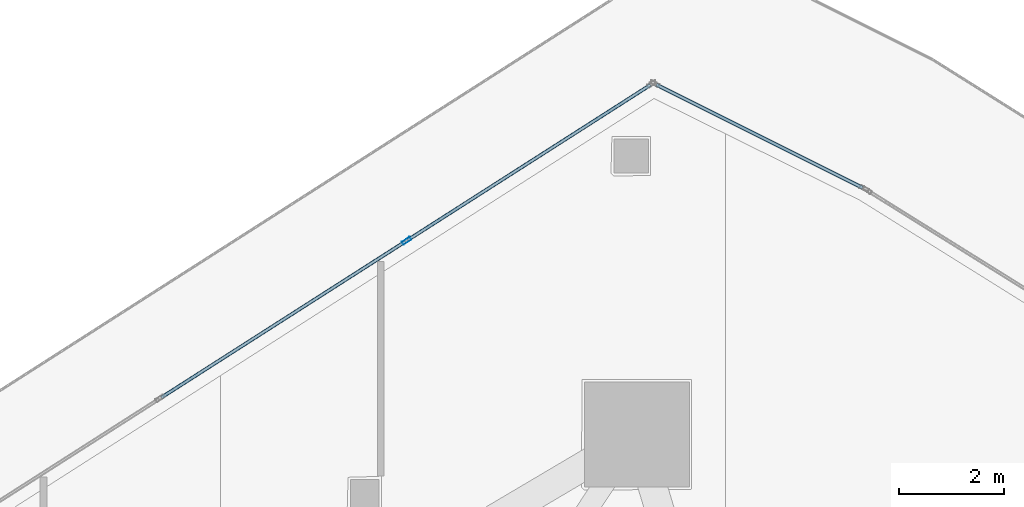
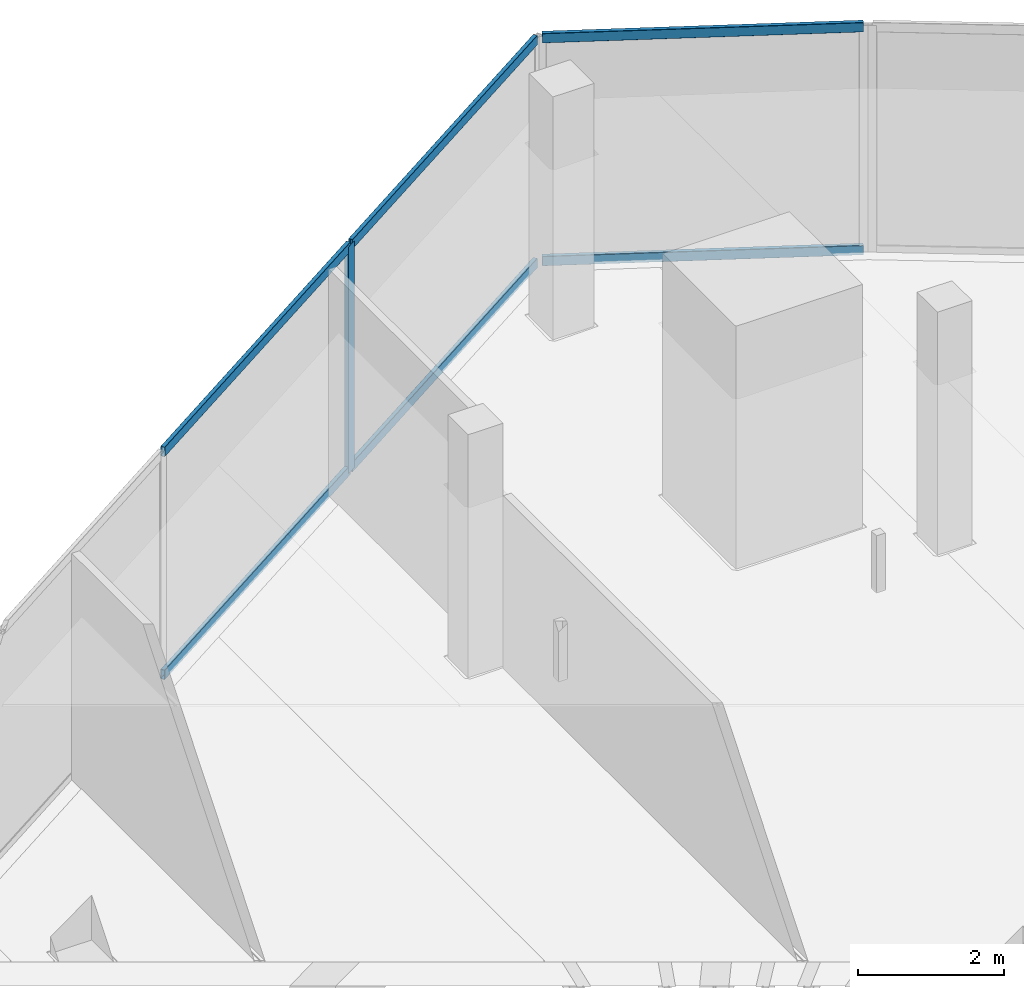
# One storey, part 22 of 37: 7 members, 2 elements without a shape of their own.
"""IFC4 building model written with IfcOpenShell, lengths in metres."""

from ifc_helpers import new_model, si_unit, direction, frame, origin, origin_2d, place, context, subcontext, project, spatial, hollow_rectangle, extrude, material, layer, layer_set, material_profile, profile_set, type_object, element, aggregate, save


model = new_model("IFC4")

# Units and contexts
model_context = context("Model", 3, precision=1e-05, world=origin(), true_north=direction((0.0, 1.0)))
body_context = subcontext(model_context, "Body", "Model", "MODEL_VIEW")
ifc_project = project(units=[si_unit("LENGTHUNIT", "METRE"), si_unit("AREAUNIT", "SQUARE_METRE"), si_unit("VOLUMEUNIT", "CUBIC_METRE"), si_unit("PLANEANGLEUNIT", "RADIAN"), si_unit("MASSUNIT", "GRAM", prefix="KILO")], contexts=[model_context])

# Site, building, storey
site_placement = place(None, origin())
site = spatial("IfcSite", under=ifc_project, at=site_placement, CompositionType="ELEMENT")
building_placement = place(site_placement, origin())
building = spatial("IfcBuilding", under=site, at=building_placement, Name="Qorvath Tower", CompositionType="ELEMENT")
storey_placement = place(building_placement, frame((0.0, 0.0, 184.800048828125)))
storey = spatial("IfcBuildingStorey", under=building, at=storey_placement, Name="L42", CompositionType="ELEMENT", Elevation=184.800048828125)

# Curtain wall, member
ifc_material_1 = material(Name="Anodised aluminium and triple low-E glass", Category="aluminium")
ifc_layer = layer(ifc_material_1, 0.179931640625)
ifc_layer_set = layer_set([ifc_layer], Name="CW-SYS-3")
curtain_wall_type = type_object("IfcCurtainWallType", Name="CW-SYS-3", PredefinedType="NOTDEFINED", material=ifc_layer_set)
curtain_wall_1_placement = place(storey_placement, origin())
curtain_wall_1 = element("IfcCurtainWall", 1, at=curtain_wall_1_placement, inside=storey, type_object=curtain_wall_type, Name="Curtain Wall CW-3 CW-T-L42-16.1", PredefinedType="NOTDEFINED")
ifc_material_2 = material(Name="Anodised aluminium 6063-T6", Category="aluminium")
ifc_material_profile_1 = material_profile(ifc_material_2, hollow_rectangle(XDim=0.06494140625, YDim=0.179931640625, WallThickness=0.00341796875, InnerFilletRadius=0.00341796875, OuterFilletRadius=0.007080078125, at=origin_2d()), Name="CWM 180x65")
ifc_profile_set_1 = profile_set([ifc_material_profile_1], Name="Anodised aluminium 6063-T6")
member_type_1 = type_object("IfcMemberType", Name="CWM-180", PredefinedType="MULLION", material=ifc_profile_set_1)
member_1_placement = place(storey_placement, frame((-21.256103515625, 25.315673828125, 0.0), z_axis=(0.0, 0.0, 1.0), x_axis=(0.538531234683, -0.842605547852, 0.0)))
member_1 = element("IfcMember", 2, at=member_1_placement, type_object=member_type_1, Name="CW-3 mullion 2", PredefinedType="MULLION", context=body_context, shape_type="SweptSolid", body=[
    extrude(hollow_rectangle(XDim=0.06494140625, YDim=0.179931640625, WallThickness=0.00341796875, InnerFilletRadius=0.00341796875, OuterFilletRadius=0.007080078125, at=origin_2d()), origin(), (0.0, 0.0, 1.0), 3.780029296875),
])

# Curtain wall, members
curtain_wall_2_placement = place(storey_placement, origin())
curtain_wall_2 = element("IfcCurtainWall", 3, at=curtain_wall_2_placement, inside=storey, type_object=curtain_wall_type, Name="Curtain Wall CW-3 CW-T-L42-15.1", PredefinedType="NOTDEFINED")
ifc_material_3 = material(Name="Anodised aluminium 6063-T6", Category="aluminium")
ifc_material_profile_2 = material_profile(ifc_material_3, hollow_rectangle(XDim=0.06494140625, YDim=0.159912109375, WallThickness=0.00341796875, InnerFilletRadius=0.00341796875, OuterFilletRadius=0.007080078125, at=origin_2d()), Name="CWT 160x65")
ifc_profile_set_2 = profile_set([ifc_material_profile_2], Name="Anodised aluminium 6063-T6")
member_type_2 = type_object("IfcMemberType", Name="CWT-160", PredefinedType="USERDEFINED", material=ifc_profile_set_2)
member_2_placement = place(storey_placement, frame((-12.57421875, 26.322998046875, 0.032470703125), z_axis=(-0.894438306591, 0.447191363626, 0.0), x_axis=(-0.447191363626, -0.894438306591, 0.0)))
member_2 = element("IfcMember", 4, at=member_2_placement, type_object=member_type_2, Name="CW-3 transom 1.1", ObjectType="TRANSOM", PredefinedType="USERDEFINED", context=body_context, shape_type="SweptSolid", body=[
    extrude(hollow_rectangle(XDim=0.06494140625, YDim=0.159912109375, WallThickness=0.00341796875, InnerFilletRadius=0.00341796875, OuterFilletRadius=0.007080078125, at=origin_2d()), origin(), (0.0, 0.0, 1.0), 4.392578125),
])
member_3_placement = place(storey_placement, frame((-12.57421875, 26.322998046875, 3.74755859375), z_axis=(-0.894438306591, 0.447191363626, 0.0), x_axis=(-0.447191363626, -0.894438306591, 0.0)))
member_3 = element("IfcMember", 5, at=member_3_placement, type_object=member_type_2, Name="CW-3 transom 1.2", ObjectType="TRANSOM", PredefinedType="USERDEFINED", context=body_context, shape_type="SweptSolid", body=[
    extrude(hollow_rectangle(XDim=0.06494140625, YDim=0.159912109375, WallThickness=0.00341796875, InnerFilletRadius=0.00341796875, OuterFilletRadius=0.007080078125, at=origin_2d()), origin(), (0.0, 0.0, 1.0), 4.392578125),
])
aggregate(curtain_wall_2, [member_2, member_3])

# Member
member_4_placement = place(storey_placement, frame((-16.615966796875, 28.281494140625, 0.032470703125), z_axis=(-0.842598452192, -0.53854233665, 0.0), x_axis=(0.53854233665, -0.842598452192, 0.0)))
member_4 = element("IfcMember", 6, at=member_4_placement, type_object=member_type_2, Name="CW-3 transom 1.1", ObjectType="TRANSOM", PredefinedType="USERDEFINED", context=body_context, shape_type="SweptSolid", body=[
    extrude(hollow_rectangle(XDim=0.06494140625, YDim=0.159912109375, WallThickness=0.00341796875, InnerFilletRadius=0.00341796875, OuterFilletRadius=0.007080078125, at=origin_2d()), origin(), (0.0, 0.0, 1.0), 5.474365234375),
])

member_5_placement = place(storey_placement, frame((-16.615966796875, 28.281494140625, 3.74755859375), z_axis=(-0.842598452192, -0.53854233665, 0.0), x_axis=(0.53854233665, -0.842598452192, 0.0)))
member_5 = element("IfcMember", 7, at=member_5_placement, type_object=member_type_2, Name="CW-3 transom 1.2", ObjectType="TRANSOM", PredefinedType="USERDEFINED", context=body_context, shape_type="SweptSolid", body=[
    extrude(hollow_rectangle(XDim=0.06494140625, YDim=0.159912109375, WallThickness=0.00341796875, InnerFilletRadius=0.00341796875, OuterFilletRadius=0.007080078125, at=origin_2d()), origin(), (0.0, 0.0, 1.0), 5.474365234375),
])

member_6_placement = place(storey_placement, frame((-21.28369140625, 25.29833984375, 0.032470703125), z_axis=(-0.842590087519, -0.538555423718, 0.0), x_axis=(0.538555423718, -0.842590087519, 0.0)))
member_6 = element("IfcMember", 8, at=member_6_placement, type_object=member_type_2, Name="CW-3 transom 2.1", ObjectType="TRANSOM", PredefinedType="USERDEFINED", context=body_context, shape_type="SweptSolid", body=[
    extrude(hollow_rectangle(XDim=0.06494140625, YDim=0.159912109375, WallThickness=0.00341796875, InnerFilletRadius=0.00341796875, OuterFilletRadius=0.007080078125, at=origin_2d()), origin(), (0.0, 0.0, 1.0), 5.507080078125),
])

member_7_placement = place(storey_placement, frame((-21.28369140625, 25.29833984375, 3.74755859375), z_axis=(-0.842590087519, -0.538555423718, 0.0), x_axis=(0.538555423718, -0.842590087519, 0.0)))
member_7 = element("IfcMember", 9, at=member_7_placement, type_object=member_type_2, Name="CW-3 transom 2.2", ObjectType="TRANSOM", PredefinedType="USERDEFINED", context=body_context, shape_type="SweptSolid", body=[
    extrude(hollow_rectangle(XDim=0.06494140625, YDim=0.159912109375, WallThickness=0.00341796875, InnerFilletRadius=0.00341796875, OuterFilletRadius=0.007080078125, at=origin_2d()), origin(), (0.0, 0.0, 1.0), 5.507080078125),
])

aggregate(curtain_wall_1, [member_1, member_4, member_5, member_6, member_7])

save(model, "model.ifc")
